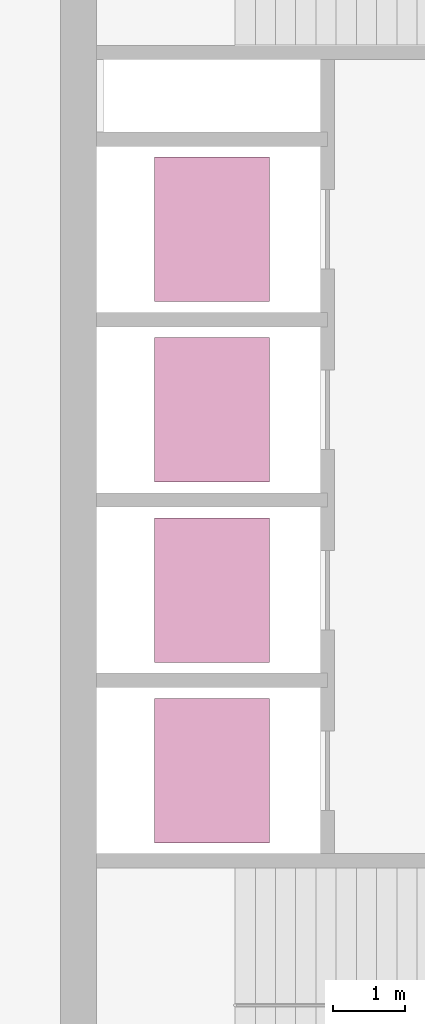
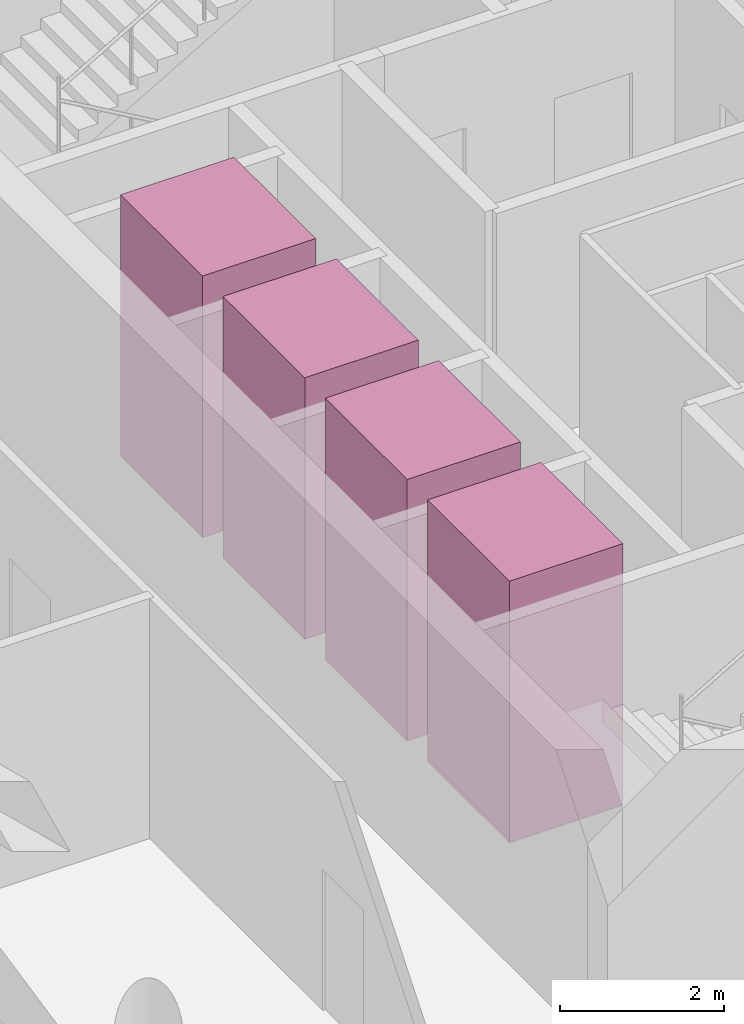
# One storey, part 9 of 9: 4 transport elements.
"""IFC4 building model written with IfcOpenShell, lengths in metres."""

from ifc_helpers import new_model, si_unit, direction, frame, origin, origin_2d, place, context, subcontext, project, spatial, rectangle, extrude, material, type_object, element, save


model = new_model("IFC4")

# Units and contexts
model_context = context("Model", 3, precision=1e-05, world=origin(), true_north=direction((0.0, 1.0)))
body_context = subcontext(model_context, "Body", "Model", "MODEL_VIEW")
ifc_project = project(units=[si_unit("LENGTHUNIT", "METRE"), si_unit("AREAUNIT", "SQUARE_METRE"), si_unit("VOLUMEUNIT", "CUBIC_METRE"), si_unit("PLANEANGLEUNIT", "RADIAN"), si_unit("MASSUNIT", "GRAM", prefix="KILO")], contexts=[model_context])

# Site, building, storey
site_placement = place(None, origin())
site = spatial("IfcSite", under=ifc_project, at=site_placement, CompositionType="ELEMENT")
building_placement = place(site_placement, origin())
building = spatial("IfcBuilding", under=site, at=building_placement, Name="Qaws Garden Tower", CompositionType="ELEMENT")
storey_placement = place(building_placement, frame((0.0, 0.0, 263.10009765625)))
storey = spatial("IfcBuildingStorey", under=building, at=storey_placement, Name="L63", CompositionType="ELEMENT", Elevation=263.10009765625)

# Transport elements
ifc_material = material(Name="Stainless steel 316", Category="steel")
transport_element_type = type_object("IfcTransportElementType", Name="Passenger lift car 2000x1600 1800 kg", PredefinedType="ELEVATOR", material=ifc_material)
for number, where, z_axis, x_axis, name in (
    (1, (10.10009765625, 13.64990234375, 0.0), (0.0, 0.0, 1.0), (1.0, 0.0, 0.0), "HR1"),
    (2, (10.10009765625, 16.14990234375, 0.0), (0.0, 0.0, 1.0), (1.0, 0.0, 0.0), "HR2"),
    (3, (10.10009765625, 18.64990234375, 0.0), (0.0, 0.0, 1.0), (1.0, 0.0, 0.0), "HR3"),
    (4, (10.10009765625, 21.14990234375, 0.0), (0.0, 0.0, 1.0), (1.0, 0.0, 0.0), "HR4"),
):
    element("IfcTransportElement", number, at=place(storey_placement, frame(where, z_axis=z_axis, x_axis=x_axis)), inside=storey, type_object=transport_element_type, Name=name, PredefinedType="ELEVATOR", context=body_context, shape_type="SweptSolid", body=[
        extrude(rectangle(XDim=1.60009765625, YDim=2.0, at=origin_2d()), origin(), (0.0, 0.0, 1.0), 3.89990234375),
    ])

save(model, "model.ifc")
